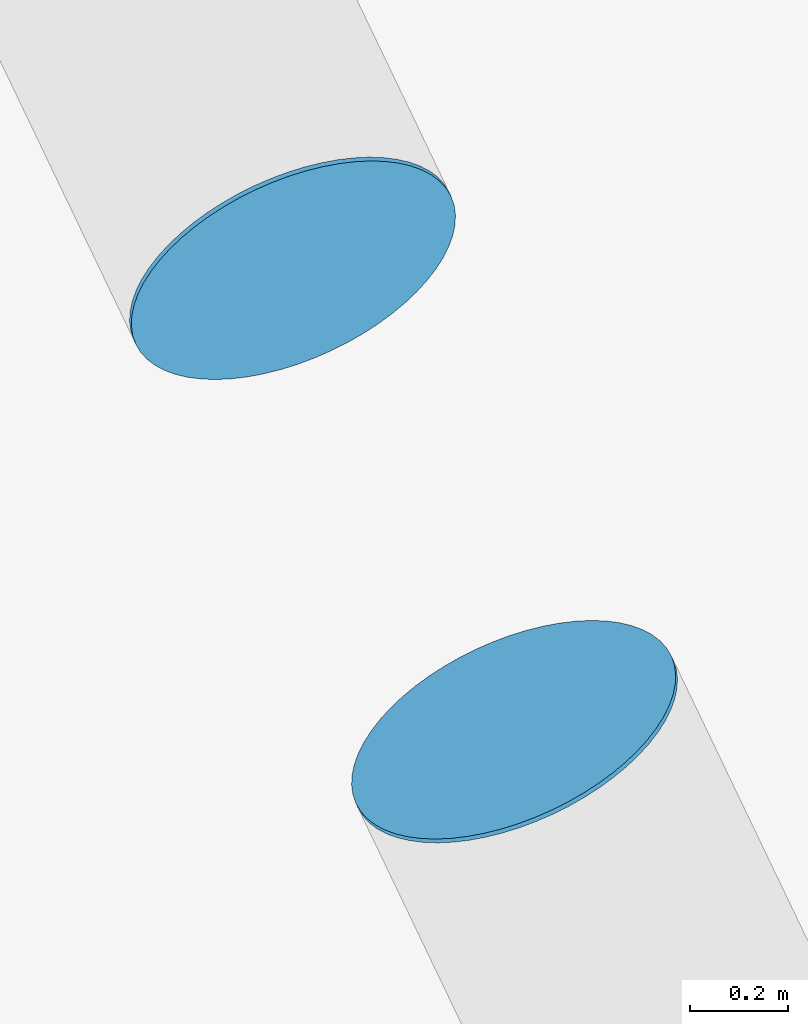
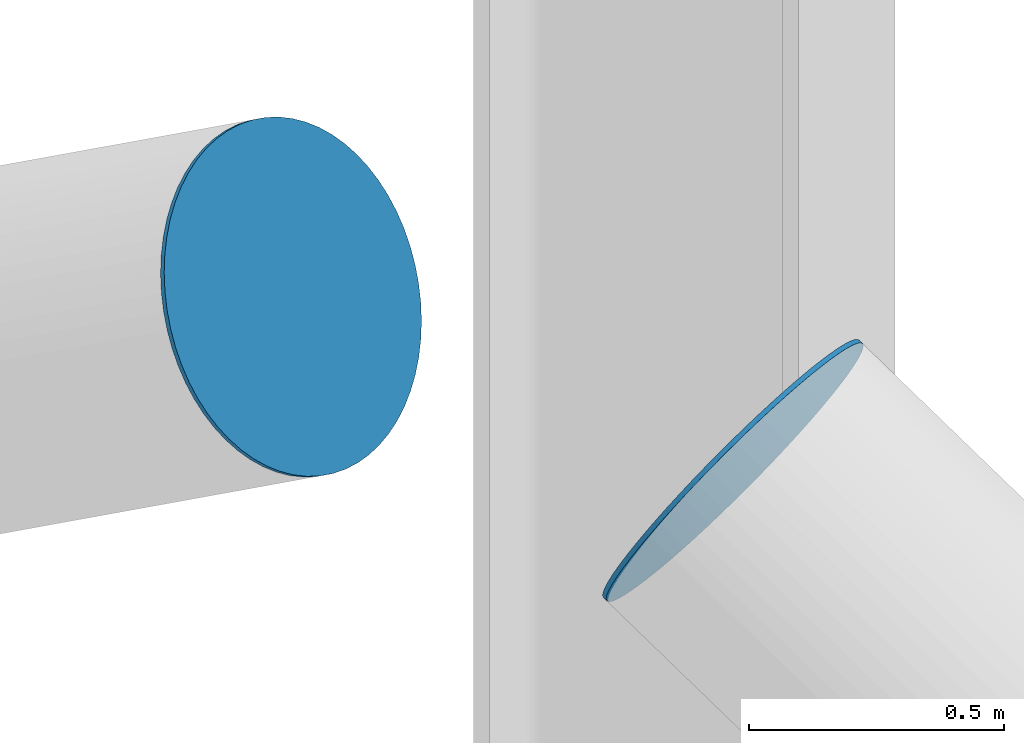
# One storey, part 26 of 42: 2 discrete accessories.
"""IFC4 building model written with IfcOpenShell, lengths in metres."""

from ifc_helpers import new_model, si_unit, direction, frame, origin, origin_2d, place, context, subcontext, project, spatial, circle, extrude, material, material_profile, profile_set, type_object, element, save


model = new_model("IFC4")

# Units and contexts
model_context = context("Model", 3, precision=1e-05, world=origin(), true_north=direction((0.0, 1.0)))
body_context = subcontext(model_context, "Body", "Model", "MODEL_VIEW")
ifc_project = project(units=[si_unit("LENGTHUNIT", "METRE"), si_unit("AREAUNIT", "SQUARE_METRE"), si_unit("VOLUMEUNIT", "CUBIC_METRE"), si_unit("PLANEANGLEUNIT", "RADIAN"), si_unit("MASSUNIT", "GRAM", prefix="KILO")], contexts=[model_context])

# Site, building, storey
site_placement = place(None, origin())
site = spatial("IfcSite", under=ifc_project, at=site_placement, CompositionType="ELEMENT")
building_placement = place(site_placement, origin())
building = spatial("IfcBuilding", under=site, at=building_placement, Name="Wharfspan Tower", CompositionType="ELEMENT")
storey_placement = place(building_placement, frame((0.0, 0.0, 147.100098)))
storey = spatial("IfcBuildingStorey", under=building, at=storey_placement, Name="L35", CompositionType="ELEMENT", Elevation=147.100098)

# Discrete accessories
ifc_material = material(Name="Steel S460NH", Category="steel")
ifc_material_profile = material_profile(ifc_material, circle(Radius=0.355469, at=origin_2d()))
ifc_profile_set = profile_set([ifc_material_profile], Name="Steel S460NH")
discrete_accessory_type = type_object("IfcDiscreteAccessoryType", Name="End plate CHS 711x36", PredefinedType="BRACKET", material=ifc_profile_set)
for number, where, z_axis, x_axis, name in (
    (1, (71.858154, 35.550537, 7.394043), (-0.364878, 0.778407, 0.510829), (-0.905462, -0.424435, 0.0), "End plate CHS 711x36"),
    (2, (71.401123, 36.504395, 7.394043), (0.364878, -0.778407, 0.510829), (0.905462, 0.424435, 0.0), "End plate CHS 711x36"),
):
    element("IfcDiscreteAccessory", number, at=place(storey_placement, frame(where, z_axis=z_axis, x_axis=x_axis)), inside=storey, type_object=discrete_accessory_type, Name=name, PredefinedType="BRACKET", context=body_context, shape_type="SweptSolid", body=[
        extrude(circle(Radius=0.355469, at=origin_2d()), origin(), (0.0, 0.0, 1.0), 0.01001),
    ])

save(model, "model.ifc")
